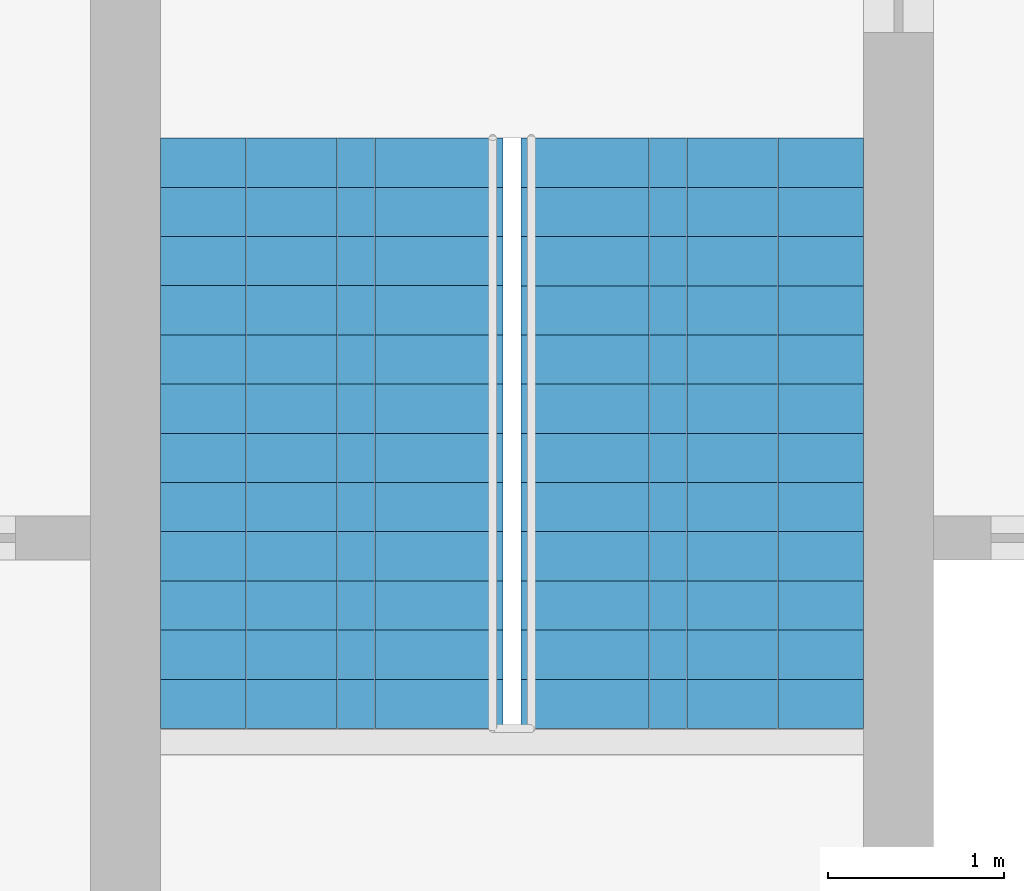
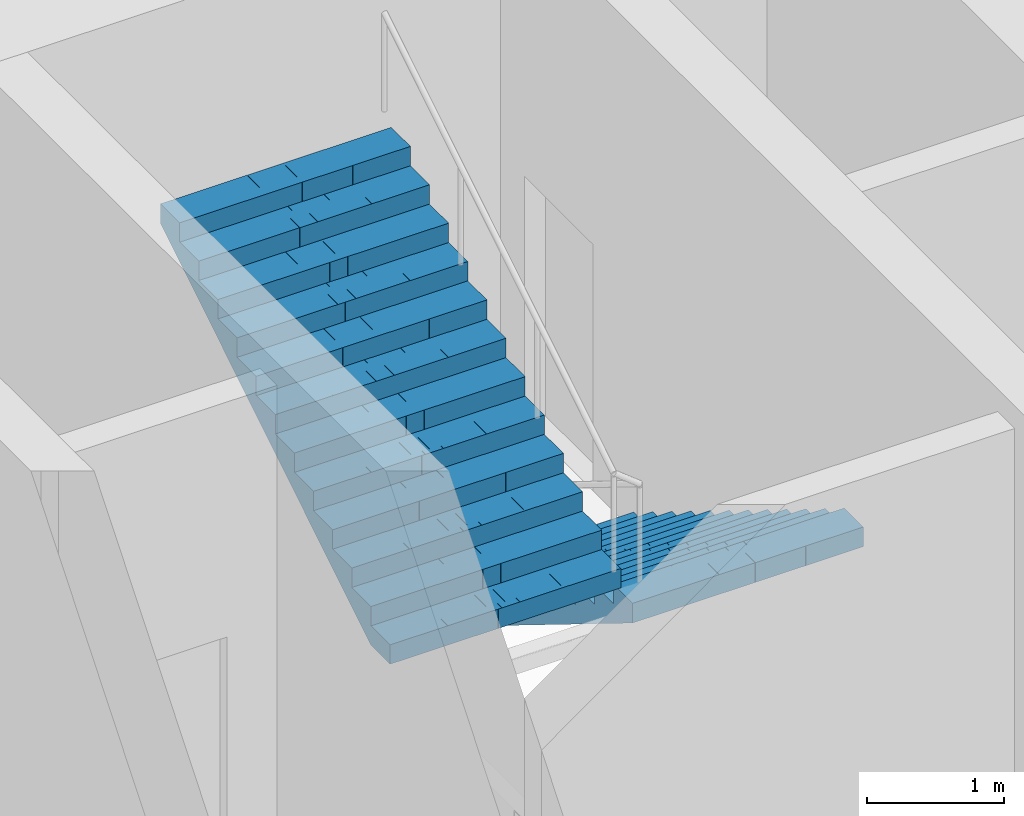
# One storey, part 20 of 21: 2 stair flights, 1 element without a shape of its own.
"""IFC4 building model written with IfcOpenShell, lengths in metres."""

from ifc_helpers import new_model, si_unit, direction, frame, origin, place, context, subcontext, project, spatial, polyline, outline, extrude, material, type_object, element, aggregate, save


model = new_model("IFC4")

# Units and contexts
model_context = context("Model", 3, precision=1e-05, world=origin(), true_north=direction((0.0, 1.0)))
body_context = subcontext(model_context, "Body", "Model", "MODEL_VIEW")
ifc_project = project(units=[si_unit("LENGTHUNIT", "METRE"), si_unit("AREAUNIT", "SQUARE_METRE"), si_unit("VOLUMEUNIT", "CUBIC_METRE"), si_unit("PLANEANGLEUNIT", "RADIAN"), si_unit("MASSUNIT", "GRAM", prefix="KILO")], contexts=[model_context])

# Site, building, storey
site_placement = place(None, origin())
site = spatial("IfcSite", under=ifc_project, at=site_placement, CompositionType="ELEMENT")
building_placement = place(site_placement, origin())
building = spatial("IfcBuilding", under=site, at=building_placement, Name="Mizan Broadcast Tower", CompositionType="ELEMENT")
storey_placement = place(building_placement, frame((0.0, 0.0, 33.0)))
storey = spatial("IfcBuildingStorey", under=building, at=storey_placement, Name="L05", CompositionType="ELEMENT", Elevation=33.0)

# Stair, stair flights
ifc_material_1 = material(Name="Concrete C40/50", Category="concrete")
stair_type = type_object("IfcStairType", Name="EXIT STAIR", PredefinedType="HALF_TURN_STAIR", material=ifc_material_1)
stair_placement = place(storey_placement, origin())
stair = element("IfcStair", 1, at=stair_placement, inside=storey, type_object=stair_type, Name="Stair B L05", PredefinedType="HALF_TURN_STAIR")
ifc_material_2 = material(Name="Concrete C40/50", Category="concrete")
stair_flight_type = type_object("IfcStairFlightType", Name="EXIT STAIR FLIGHT", PredefinedType="STRAIGHT", material=ifc_material_2)
stair_flight_1_placement = place(storey_placement, frame((1.02490234375, 7.89990234375, 0.0), z_axis=(0.0, 0.0, 1.0), x_axis=(0.0, -1.0, 0.0)))
stair_flight_1 = element("IfcStairFlight", 2, at=stair_flight_1_placement, type_object=stair_flight_type, Name="B flight 1", NumberOfRisers=13, NumberOfTreads=12, PredefinedType="STRAIGHT", RiserHeight=0.173076923, TreadLength=0.28, context=body_context, shape_type="SweptSolid", body=[
    extrude(outline(polyline([(0.0, 0.0), (0.0, 0.173095703125), (0.280029296875, 0.173095703125), (0.280029296875, 0.34619140625), (0.56005859375, 0.34619140625), (0.56005859375, 0.519287109375), (0.840087890625, 0.519287109375), (0.840087890625, 0.6923828125), (1.1201171875, 0.6923828125), (1.1201171875, 0.865478515625), (1.39990234375, 0.865478515625), (1.39990234375, 1.03857421875), (1.679931640625, 1.03857421875), (1.679931640625, 1.21142578125), (1.9599609375, 1.21142578125), (1.9599609375, 1.384521484375), (2.239990234375, 1.384521484375), (2.239990234375, 1.5576171875), (2.52001953125, 1.5576171875), (2.52001953125, 1.730712890625), (2.800048828125, 1.730712890625), (2.800048828125, 1.90380859375), (3.080078125, 1.90380859375), (3.080078125, 2.076904296875), (3.360107421875, 2.076904296875), (3.360107421875, 2.25), (3.360107421875, 1.900634765625), (0.28515625, 0.0), (0.0, 0.0)])), frame((0.0, 0.97509765625, 0.0), z_axis=(0.0, -1.0, 0.0), x_axis=(1.0, 0.0, 0.0)), (0.0, 0.0, 1.0), 0.4873046875),
    extrude(outline(polyline([(0.0, 0.0), (0.0, 0.173095703125), (0.280029296875, 0.173095703125), (0.280029296875, 0.34619140625), (0.56005859375, 0.34619140625), (0.56005859375, 0.519287109375), (0.840087890625, 0.519287109375), (0.840087890625, 0.6923828125), (1.1201171875, 0.6923828125), (1.1201171875, 0.865478515625), (1.39990234375, 0.865478515625), (1.39990234375, 1.03857421875), (1.679931640625, 1.03857421875), (1.679931640625, 1.21142578125), (1.9599609375, 1.21142578125), (1.9599609375, 1.384521484375), (2.239990234375, 1.384521484375), (2.239990234375, 1.5576171875), (2.52001953125, 1.5576171875), (2.52001953125, 1.730712890625), (2.800048828125, 1.730712890625), (2.800048828125, 1.90380859375), (3.080078125, 1.90380859375), (3.080078125, 2.076904296875), (3.360107421875, 2.076904296875), (3.360107421875, 2.25), (3.360107421875, 1.900634765625), (0.28515625, 0.0), (0.0, 0.0)])), frame((0.0, 0.4873046875, 0.0), z_axis=(0.0, -1.0, 0.0), x_axis=(1.0, 0.0, 0.0)), (0.0, 0.0, 1.0), 0.2431640625),
    extrude(outline(polyline([(0.0, 0.0), (0.0, 0.173095703125), (0.280029296875, 0.173095703125), (0.280029296875, 0.34619140625), (0.56005859375, 0.34619140625), (0.56005859375, 0.519287109375), (0.840087890625, 0.519287109375), (0.840087890625, 0.6923828125), (1.1201171875, 0.6923828125), (1.1201171875, 0.865478515625), (1.39990234375, 0.865478515625), (1.39990234375, 1.03857421875), (1.679931640625, 1.03857421875), (1.679931640625, 1.21142578125), (1.9599609375, 1.21142578125), (1.9599609375, 1.384521484375), (2.239990234375, 1.384521484375), (2.239990234375, 1.5576171875), (2.52001953125, 1.5576171875), (2.52001953125, 1.730712890625), (2.800048828125, 1.730712890625), (2.800048828125, 1.90380859375), (3.080078125, 1.90380859375), (3.080078125, 2.076904296875), (3.360107421875, 2.076904296875), (3.360107421875, 2.25), (3.360107421875, 1.900634765625), (0.28515625, 0.0), (0.0, 0.0)])), frame((0.0, 0.24365234375, 0.0), z_axis=(0.0, -1.0, 0.0), x_axis=(1.0, 0.0, 0.0)), (0.0, 0.0, 1.0), 0.121337890625),
    extrude(outline(polyline([(0.0, 0.0), (0.0, 0.173095703125), (0.280029296875, 0.173095703125), (0.280029296875, 0.34619140625), (0.56005859375, 0.34619140625), (0.56005859375, 0.519287109375), (0.840087890625, 0.519287109375), (0.840087890625, 0.6923828125), (1.1201171875, 0.6923828125), (1.1201171875, 0.865478515625), (1.39990234375, 0.865478515625), (1.39990234375, 1.03857421875), (1.679931640625, 1.03857421875), (1.679931640625, 1.21142578125), (1.9599609375, 1.21142578125), (1.9599609375, 1.384521484375), (2.239990234375, 1.384521484375), (2.239990234375, 1.5576171875), (2.52001953125, 1.5576171875), (2.52001953125, 1.730712890625), (2.800048828125, 1.730712890625), (2.800048828125, 1.90380859375), (3.080078125, 1.90380859375), (3.080078125, 2.076904296875), (3.360107421875, 2.076904296875), (3.360107421875, 2.25), (3.360107421875, 1.900634765625), (0.28515625, 0.0), (0.0, 0.0)])), frame((0.0, 0.121826171875, 0.0), z_axis=(0.0, -1.0, 0.0), x_axis=(1.0, 0.0, 0.0)), (0.0, 0.0, 1.0), 0.060546875),
    extrude(outline(polyline([(0.0, 0.0), (0.0, 0.173095703125), (0.280029296875, 0.173095703125), (0.280029296875, 0.34619140625), (0.56005859375, 0.34619140625), (0.56005859375, 0.519287109375), (0.840087890625, 0.519287109375), (0.840087890625, 0.6923828125), (1.1201171875, 0.6923828125), (1.1201171875, 0.865478515625), (1.39990234375, 0.865478515625), (1.39990234375, 1.03857421875), (1.679931640625, 1.03857421875), (1.679931640625, 1.21142578125), (1.9599609375, 1.21142578125), (1.9599609375, 1.384521484375), (2.239990234375, 1.384521484375), (2.239990234375, 1.5576171875), (2.52001953125, 1.5576171875), (2.52001953125, 1.730712890625), (2.800048828125, 1.730712890625), (2.800048828125, 1.90380859375), (3.080078125, 1.90380859375), (3.080078125, 2.076904296875), (3.360107421875, 2.076904296875), (3.360107421875, 2.25), (3.360107421875, 1.900634765625), (0.28515625, 0.0), (0.0, 0.0)])), frame((0.0, 0.060791015625, 0.0), z_axis=(0.0, -1.0, 0.0), x_axis=(1.0, 0.0, 0.0)), (0.0, 0.0, 1.0), 0.030029296875),
    extrude(outline(polyline([(0.0, 0.0), (0.0, 0.173095703125), (0.280029296875, 0.173095703125), (0.280029296875, 0.34619140625), (0.56005859375, 0.34619140625), (0.56005859375, 0.519287109375), (0.840087890625, 0.519287109375), (0.840087890625, 0.6923828125), (1.1201171875, 0.6923828125), (1.1201171875, 0.865478515625), (1.39990234375, 0.865478515625), (1.39990234375, 1.03857421875), (1.679931640625, 1.03857421875), (1.679931640625, 1.21142578125), (1.9599609375, 1.21142578125), (1.9599609375, 1.384521484375), (2.239990234375, 1.384521484375), (2.239990234375, 1.5576171875), (2.52001953125, 1.5576171875), (2.52001953125, 1.730712890625), (2.800048828125, 1.730712890625), (2.800048828125, 1.90380859375), (3.080078125, 1.90380859375), (3.080078125, 2.076904296875), (3.360107421875, 2.076904296875), (3.360107421875, 2.25), (3.360107421875, 1.900634765625), (0.28515625, 0.0), (0.0, 0.0)])), frame((0.0, 0.0302734375, 0.0), z_axis=(0.0, -1.0, 0.0), x_axis=(1.0, 0.0, 0.0)), (0.0, 0.0, 1.0), 0.060302734375),
    extrude(outline(polyline([(0.0, 0.0), (0.0, 0.173095703125), (0.280029296875, 0.173095703125), (0.280029296875, 0.34619140625), (0.56005859375, 0.34619140625), (0.56005859375, 0.519287109375), (0.840087890625, 0.519287109375), (0.840087890625, 0.6923828125), (1.1201171875, 0.6923828125), (1.1201171875, 0.865478515625), (1.39990234375, 0.865478515625), (1.39990234375, 1.03857421875), (1.679931640625, 1.03857421875), (1.679931640625, 1.21142578125), (1.9599609375, 1.21142578125), (1.9599609375, 1.384521484375), (2.239990234375, 1.384521484375), (2.239990234375, 1.5576171875), (2.52001953125, 1.5576171875), (2.52001953125, 1.730712890625), (2.800048828125, 1.730712890625), (2.800048828125, 1.90380859375), (3.080078125, 1.90380859375), (3.080078125, 2.076904296875), (3.360107421875, 2.076904296875), (3.360107421875, 2.25), (3.360107421875, 1.900634765625), (0.28515625, 0.0), (0.0, 0.0)])), frame((0.0, -0.030517578125, 0.0), z_axis=(0.0, -1.0, 0.0), x_axis=(1.0, 0.0, 0.0)), (0.0, 0.0, 1.0), 0.030029296875),
    extrude(outline(polyline([(0.0, 0.0), (0.0, 0.173095703125), (0.280029296875, 0.173095703125), (0.280029296875, 0.34619140625), (0.56005859375, 0.34619140625), (0.56005859375, 0.519287109375), (0.840087890625, 0.519287109375), (0.840087890625, 0.6923828125), (1.1201171875, 0.6923828125), (1.1201171875, 0.865478515625), (1.39990234375, 0.865478515625), (1.39990234375, 1.03857421875), (1.679931640625, 1.03857421875), (1.679931640625, 1.21142578125), (1.9599609375, 1.21142578125), (1.9599609375, 1.384521484375), (2.239990234375, 1.384521484375), (2.239990234375, 1.5576171875), (2.52001953125, 1.5576171875), (2.52001953125, 1.730712890625), (2.800048828125, 1.730712890625), (2.800048828125, 1.90380859375), (3.080078125, 1.90380859375), (3.080078125, 2.076904296875), (3.360107421875, 2.076904296875), (3.360107421875, 2.25), (3.360107421875, 1.900634765625), (0.28515625, 0.0), (0.0, 0.0)])), frame((0.0, -0.06103515625, 0.0), z_axis=(0.0, -1.0, 0.0), x_axis=(1.0, 0.0, 0.0)), (0.0, 0.0, 1.0), 0.060546875),
    extrude(outline(polyline([(0.0, 0.0), (0.0, 0.173095703125), (0.280029296875, 0.173095703125), (0.280029296875, 0.34619140625), (0.56005859375, 0.34619140625), (0.56005859375, 0.519287109375), (0.840087890625, 0.519287109375), (0.840087890625, 0.6923828125), (1.1201171875, 0.6923828125), (1.1201171875, 0.865478515625), (1.39990234375, 0.865478515625), (1.39990234375, 1.03857421875), (1.679931640625, 1.03857421875), (1.679931640625, 1.21142578125), (1.9599609375, 1.21142578125), (1.9599609375, 1.384521484375), (2.239990234375, 1.384521484375), (2.239990234375, 1.5576171875), (2.52001953125, 1.5576171875), (2.52001953125, 1.730712890625), (2.800048828125, 1.730712890625), (2.800048828125, 1.90380859375), (3.080078125, 1.90380859375), (3.080078125, 2.076904296875), (3.360107421875, 2.076904296875), (3.360107421875, 2.25), (3.360107421875, 1.900634765625), (0.28515625, 0.0), (0.0, 0.0)])), frame((0.0, -0.1220703125, 0.0), z_axis=(0.0, -1.0, 0.0), x_axis=(1.0, 0.0, 0.0)), (0.0, 0.0, 1.0), 0.121337890625),
    extrude(outline(polyline([(0.0, 0.0), (0.0, 0.173095703125), (0.280029296875, 0.173095703125), (0.280029296875, 0.34619140625), (0.56005859375, 0.34619140625), (0.56005859375, 0.519287109375), (0.840087890625, 0.519287109375), (0.840087890625, 0.6923828125), (1.1201171875, 0.6923828125), (1.1201171875, 0.865478515625), (1.39990234375, 0.865478515625), (1.39990234375, 1.03857421875), (1.679931640625, 1.03857421875), (1.679931640625, 1.21142578125), (1.9599609375, 1.21142578125), (1.9599609375, 1.384521484375), (2.239990234375, 1.384521484375), (2.239990234375, 1.5576171875), (2.52001953125, 1.5576171875), (2.52001953125, 1.730712890625), (2.800048828125, 1.730712890625), (2.800048828125, 1.90380859375), (3.080078125, 1.90380859375), (3.080078125, 2.076904296875), (3.360107421875, 2.076904296875), (3.360107421875, 2.25), (3.360107421875, 1.900634765625), (0.28515625, 0.0), (0.0, 0.0)])), frame((0.0, -0.243896484375, 0.0), z_axis=(0.0, -1.0, 0.0), x_axis=(1.0, 0.0, 0.0)), (0.0, 0.0, 1.0), 0.2431640625),
    extrude(outline(polyline([(0.0, 0.0), (0.0, 0.173095703125), (0.280029296875, 0.173095703125), (0.280029296875, 0.34619140625), (0.56005859375, 0.34619140625), (0.56005859375, 0.519287109375), (0.840087890625, 0.519287109375), (0.840087890625, 0.6923828125), (1.1201171875, 0.6923828125), (1.1201171875, 0.865478515625), (1.39990234375, 0.865478515625), (1.39990234375, 1.03857421875), (1.679931640625, 1.03857421875), (1.679931640625, 1.21142578125), (1.9599609375, 1.21142578125), (1.9599609375, 1.384521484375), (2.239990234375, 1.384521484375), (2.239990234375, 1.5576171875), (2.52001953125, 1.5576171875), (2.52001953125, 1.730712890625), (2.800048828125, 1.730712890625), (2.800048828125, 1.90380859375), (3.080078125, 1.90380859375), (3.080078125, 2.076904296875), (3.360107421875, 2.076904296875), (3.360107421875, 2.25), (3.360107421875, 1.900634765625), (0.28515625, 0.0), (0.0, 0.0)])), frame((0.0, -0.487548828125, 0.0), z_axis=(0.0, -1.0, 0.0), x_axis=(1.0, 0.0, 0.0)), (0.0, 0.0, 1.0), 0.4873046875),
])
stair_flight_2_placement = place(storey_placement, frame((-1.02490234375, 4.5400390625, 2.25), z_axis=(0.0, 0.0, 1.0), x_axis=(0.0, 1.0, 0.0)))
stair_flight_2 = element("IfcStairFlight", 3, at=stair_flight_2_placement, type_object=stair_flight_type, Name="B flight 2", NumberOfRisers=13, NumberOfTreads=12, PredefinedType="STRAIGHT", RiserHeight=0.173076923, TreadLength=0.28, context=body_context, shape_type="SweptSolid", body=[
    extrude(outline(polyline([(0.0, 0.0), (0.0, 0.173095703125), (0.280029296875, 0.173095703125), (0.280029296875, 0.34619140625), (0.56005859375, 0.34619140625), (0.56005859375, 0.519287109375), (0.840087890625, 0.519287109375), (0.840087890625, 0.6923828125), (1.1201171875, 0.6923828125), (1.1201171875, 0.865478515625), (1.39990234375, 0.865478515625), (1.39990234375, 1.03857421875), (1.679931640625, 1.03857421875), (1.679931640625, 1.21142578125), (1.9599609375, 1.21142578125), (1.9599609375, 1.384521484375), (2.239990234375, 1.384521484375), (2.239990234375, 1.5576171875), (2.52001953125, 1.5576171875), (2.52001953125, 1.730712890625), (2.800048828125, 1.730712890625), (2.800048828125, 1.90380859375), (3.080078125, 1.90380859375), (3.080078125, 2.076904296875), (3.360107421875, 2.076904296875), (3.360107421875, 2.25), (3.360107421875, 1.900634765625), (0.28515625, 0.0), (0.0, 0.0)])), frame((0.0, 0.97509765625, 0.0), z_axis=(0.0, -1.0, 0.0), x_axis=(1.0, 0.0, 0.0)), (0.0, 0.0, 1.0), 0.4873046875),
    extrude(outline(polyline([(0.0, 0.0), (0.0, 0.173095703125), (0.280029296875, 0.173095703125), (0.280029296875, 0.34619140625), (0.56005859375, 0.34619140625), (0.56005859375, 0.519287109375), (0.840087890625, 0.519287109375), (0.840087890625, 0.6923828125), (1.1201171875, 0.6923828125), (1.1201171875, 0.865478515625), (1.39990234375, 0.865478515625), (1.39990234375, 1.03857421875), (1.679931640625, 1.03857421875), (1.679931640625, 1.21142578125), (1.9599609375, 1.21142578125), (1.9599609375, 1.384521484375), (2.239990234375, 1.384521484375), (2.239990234375, 1.5576171875), (2.52001953125, 1.5576171875), (2.52001953125, 1.730712890625), (2.800048828125, 1.730712890625), (2.800048828125, 1.90380859375), (3.080078125, 1.90380859375), (3.080078125, 2.076904296875), (3.360107421875, 2.076904296875), (3.360107421875, 2.25), (3.360107421875, 1.900634765625), (0.28515625, 0.0), (0.0, 0.0)])), frame((0.0, 0.4873046875, 0.0), z_axis=(0.0, -1.0, 0.0), x_axis=(1.0, 0.0, 0.0)), (0.0, 0.0, 1.0), 0.2431640625),
    extrude(outline(polyline([(0.0, 0.0), (0.0, 0.173095703125), (0.280029296875, 0.173095703125), (0.280029296875, 0.34619140625), (0.56005859375, 0.34619140625), (0.56005859375, 0.519287109375), (0.840087890625, 0.519287109375), (0.840087890625, 0.6923828125), (1.1201171875, 0.6923828125), (1.1201171875, 0.865478515625), (1.39990234375, 0.865478515625), (1.39990234375, 1.03857421875), (1.679931640625, 1.03857421875), (1.679931640625, 1.21142578125), (1.9599609375, 1.21142578125), (1.9599609375, 1.384521484375), (2.239990234375, 1.384521484375), (2.239990234375, 1.5576171875), (2.52001953125, 1.5576171875), (2.52001953125, 1.730712890625), (2.800048828125, 1.730712890625), (2.800048828125, 1.90380859375), (3.080078125, 1.90380859375), (3.080078125, 2.076904296875), (3.360107421875, 2.076904296875), (3.360107421875, 2.25), (3.360107421875, 1.900634765625), (0.28515625, 0.0), (0.0, 0.0)])), frame((0.0, 0.24365234375, 0.0), z_axis=(0.0, -1.0, 0.0), x_axis=(1.0, 0.0, 0.0)), (0.0, 0.0, 1.0), 0.121337890625),
    extrude(outline(polyline([(0.0, 0.0), (0.0, 0.173095703125), (0.280029296875, 0.173095703125), (0.280029296875, 0.34619140625), (0.56005859375, 0.34619140625), (0.56005859375, 0.519287109375), (0.840087890625, 0.519287109375), (0.840087890625, 0.6923828125), (1.1201171875, 0.6923828125), (1.1201171875, 0.865478515625), (1.39990234375, 0.865478515625), (1.39990234375, 1.03857421875), (1.679931640625, 1.03857421875), (1.679931640625, 1.21142578125), (1.9599609375, 1.21142578125), (1.9599609375, 1.384521484375), (2.239990234375, 1.384521484375), (2.239990234375, 1.5576171875), (2.52001953125, 1.5576171875), (2.52001953125, 1.730712890625), (2.800048828125, 1.730712890625), (2.800048828125, 1.90380859375), (3.080078125, 1.90380859375), (3.080078125, 2.076904296875), (3.360107421875, 2.076904296875), (3.360107421875, 2.25), (3.360107421875, 1.900634765625), (0.28515625, 0.0), (0.0, 0.0)])), frame((0.0, 0.121826171875, 0.0), z_axis=(0.0, -1.0, 0.0), x_axis=(1.0, 0.0, 0.0)), (0.0, 0.0, 1.0), 0.060546875),
    extrude(outline(polyline([(0.0, 0.0), (0.0, 0.173095703125), (0.280029296875, 0.173095703125), (0.280029296875, 0.34619140625), (0.56005859375, 0.34619140625), (0.56005859375, 0.519287109375), (0.840087890625, 0.519287109375), (0.840087890625, 0.6923828125), (1.1201171875, 0.6923828125), (1.1201171875, 0.865478515625), (1.39990234375, 0.865478515625), (1.39990234375, 1.03857421875), (1.679931640625, 1.03857421875), (1.679931640625, 1.21142578125), (1.9599609375, 1.21142578125), (1.9599609375, 1.384521484375), (2.239990234375, 1.384521484375), (2.239990234375, 1.5576171875), (2.52001953125, 1.5576171875), (2.52001953125, 1.730712890625), (2.800048828125, 1.730712890625), (2.800048828125, 1.90380859375), (3.080078125, 1.90380859375), (3.080078125, 2.076904296875), (3.360107421875, 2.076904296875), (3.360107421875, 2.25), (3.360107421875, 1.900634765625), (0.28515625, 0.0), (0.0, 0.0)])), frame((0.0, 0.060791015625, 0.0), z_axis=(0.0, -1.0, 0.0), x_axis=(1.0, 0.0, 0.0)), (0.0, 0.0, 1.0), 0.030029296875),
    extrude(outline(polyline([(0.0, 0.0), (0.0, 0.173095703125), (0.280029296875, 0.173095703125), (0.280029296875, 0.34619140625), (0.56005859375, 0.34619140625), (0.56005859375, 0.519287109375), (0.840087890625, 0.519287109375), (0.840087890625, 0.6923828125), (1.1201171875, 0.6923828125), (1.1201171875, 0.865478515625), (1.39990234375, 0.865478515625), (1.39990234375, 1.03857421875), (1.679931640625, 1.03857421875), (1.679931640625, 1.21142578125), (1.9599609375, 1.21142578125), (1.9599609375, 1.384521484375), (2.239990234375, 1.384521484375), (2.239990234375, 1.5576171875), (2.52001953125, 1.5576171875), (2.52001953125, 1.730712890625), (2.800048828125, 1.730712890625), (2.800048828125, 1.90380859375), (3.080078125, 1.90380859375), (3.080078125, 2.076904296875), (3.360107421875, 2.076904296875), (3.360107421875, 2.25), (3.360107421875, 1.900634765625), (0.28515625, 0.0), (0.0, 0.0)])), frame((0.0, 0.0302734375, 0.0), z_axis=(0.0, -1.0, 0.0), x_axis=(1.0, 0.0, 0.0)), (0.0, 0.0, 1.0), 0.060302734375),
    extrude(outline(polyline([(0.0, 0.0), (0.0, 0.173095703125), (0.280029296875, 0.173095703125), (0.280029296875, 0.34619140625), (0.56005859375, 0.34619140625), (0.56005859375, 0.519287109375), (0.840087890625, 0.519287109375), (0.840087890625, 0.6923828125), (1.1201171875, 0.6923828125), (1.1201171875, 0.865478515625), (1.39990234375, 0.865478515625), (1.39990234375, 1.03857421875), (1.679931640625, 1.03857421875), (1.679931640625, 1.21142578125), (1.9599609375, 1.21142578125), (1.9599609375, 1.384521484375), (2.239990234375, 1.384521484375), (2.239990234375, 1.5576171875), (2.52001953125, 1.5576171875), (2.52001953125, 1.730712890625), (2.800048828125, 1.730712890625), (2.800048828125, 1.90380859375), (3.080078125, 1.90380859375), (3.080078125, 2.076904296875), (3.360107421875, 2.076904296875), (3.360107421875, 2.25), (3.360107421875, 1.900634765625), (0.28515625, 0.0), (0.0, 0.0)])), frame((0.0, -0.030517578125, 0.0), z_axis=(0.0, -1.0, 0.0), x_axis=(1.0, 0.0, 0.0)), (0.0, 0.0, 1.0), 0.030029296875),
    extrude(outline(polyline([(0.0, 0.0), (0.0, 0.173095703125), (0.280029296875, 0.173095703125), (0.280029296875, 0.34619140625), (0.56005859375, 0.34619140625), (0.56005859375, 0.519287109375), (0.840087890625, 0.519287109375), (0.840087890625, 0.6923828125), (1.1201171875, 0.6923828125), (1.1201171875, 0.865478515625), (1.39990234375, 0.865478515625), (1.39990234375, 1.03857421875), (1.679931640625, 1.03857421875), (1.679931640625, 1.21142578125), (1.9599609375, 1.21142578125), (1.9599609375, 1.384521484375), (2.239990234375, 1.384521484375), (2.239990234375, 1.5576171875), (2.52001953125, 1.5576171875), (2.52001953125, 1.730712890625), (2.800048828125, 1.730712890625), (2.800048828125, 1.90380859375), (3.080078125, 1.90380859375), (3.080078125, 2.076904296875), (3.360107421875, 2.076904296875), (3.360107421875, 2.25), (3.360107421875, 1.900634765625), (0.28515625, 0.0), (0.0, 0.0)])), frame((0.0, -0.06103515625, 0.0), z_axis=(0.0, -1.0, 0.0), x_axis=(1.0, 0.0, 0.0)), (0.0, 0.0, 1.0), 0.060546875),
    extrude(outline(polyline([(0.0, 0.0), (0.0, 0.173095703125), (0.280029296875, 0.173095703125), (0.280029296875, 0.34619140625), (0.56005859375, 0.34619140625), (0.56005859375, 0.519287109375), (0.840087890625, 0.519287109375), (0.840087890625, 0.6923828125), (1.1201171875, 0.6923828125), (1.1201171875, 0.865478515625), (1.39990234375, 0.865478515625), (1.39990234375, 1.03857421875), (1.679931640625, 1.03857421875), (1.679931640625, 1.21142578125), (1.9599609375, 1.21142578125), (1.9599609375, 1.384521484375), (2.239990234375, 1.384521484375), (2.239990234375, 1.5576171875), (2.52001953125, 1.5576171875), (2.52001953125, 1.730712890625), (2.800048828125, 1.730712890625), (2.800048828125, 1.90380859375), (3.080078125, 1.90380859375), (3.080078125, 2.076904296875), (3.360107421875, 2.076904296875), (3.360107421875, 2.25), (3.360107421875, 1.900634765625), (0.28515625, 0.0), (0.0, 0.0)])), frame((0.0, -0.1220703125, 0.0), z_axis=(0.0, -1.0, 0.0), x_axis=(1.0, 0.0, 0.0)), (0.0, 0.0, 1.0), 0.121337890625),
    extrude(outline(polyline([(0.0, 0.0), (0.0, 0.173095703125), (0.280029296875, 0.173095703125), (0.280029296875, 0.34619140625), (0.56005859375, 0.34619140625), (0.56005859375, 0.519287109375), (0.840087890625, 0.519287109375), (0.840087890625, 0.6923828125), (1.1201171875, 0.6923828125), (1.1201171875, 0.865478515625), (1.39990234375, 0.865478515625), (1.39990234375, 1.03857421875), (1.679931640625, 1.03857421875), (1.679931640625, 1.21142578125), (1.9599609375, 1.21142578125), (1.9599609375, 1.384521484375), (2.239990234375, 1.384521484375), (2.239990234375, 1.5576171875), (2.52001953125, 1.5576171875), (2.52001953125, 1.730712890625), (2.800048828125, 1.730712890625), (2.800048828125, 1.90380859375), (3.080078125, 1.90380859375), (3.080078125, 2.076904296875), (3.360107421875, 2.076904296875), (3.360107421875, 2.25), (3.360107421875, 1.900634765625), (0.28515625, 0.0), (0.0, 0.0)])), frame((0.0, -0.243896484375, 0.0), z_axis=(0.0, -1.0, 0.0), x_axis=(1.0, 0.0, 0.0)), (0.0, 0.0, 1.0), 0.2431640625),
    extrude(outline(polyline([(0.0, 0.0), (0.0, 0.173095703125), (0.280029296875, 0.173095703125), (0.280029296875, 0.34619140625), (0.56005859375, 0.34619140625), (0.56005859375, 0.519287109375), (0.840087890625, 0.519287109375), (0.840087890625, 0.6923828125), (1.1201171875, 0.6923828125), (1.1201171875, 0.865478515625), (1.39990234375, 0.865478515625), (1.39990234375, 1.03857421875), (1.679931640625, 1.03857421875), (1.679931640625, 1.21142578125), (1.9599609375, 1.21142578125), (1.9599609375, 1.384521484375), (2.239990234375, 1.384521484375), (2.239990234375, 1.5576171875), (2.52001953125, 1.5576171875), (2.52001953125, 1.730712890625), (2.800048828125, 1.730712890625), (2.800048828125, 1.90380859375), (3.080078125, 1.90380859375), (3.080078125, 2.076904296875), (3.360107421875, 2.076904296875), (3.360107421875, 2.25), (3.360107421875, 1.900634765625), (0.28515625, 0.0), (0.0, 0.0)])), frame((0.0, -0.487548828125, 0.0), z_axis=(0.0, -1.0, 0.0), x_axis=(1.0, 0.0, 0.0)), (0.0, 0.0, 1.0), 0.4873046875),
])
aggregate(stair, [stair_flight_1, stair_flight_2])

save(model, "model.ifc")
